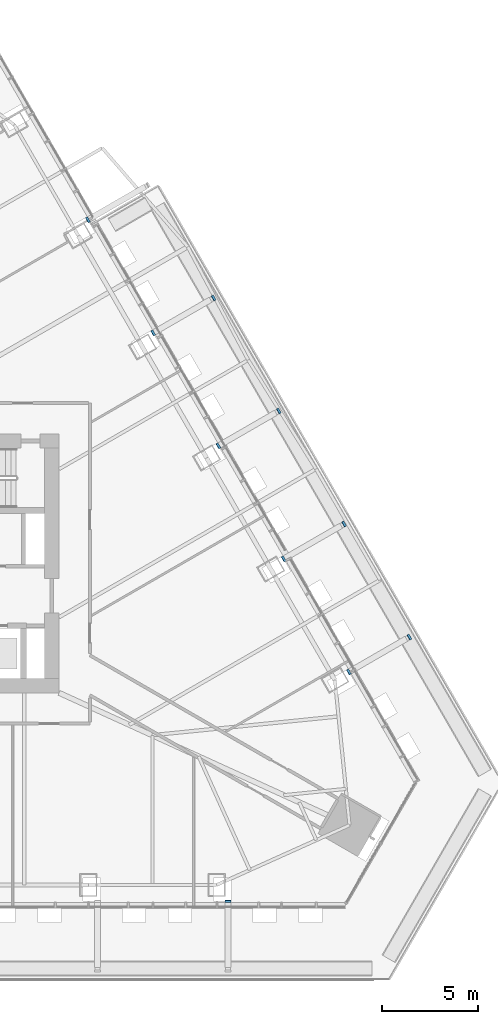
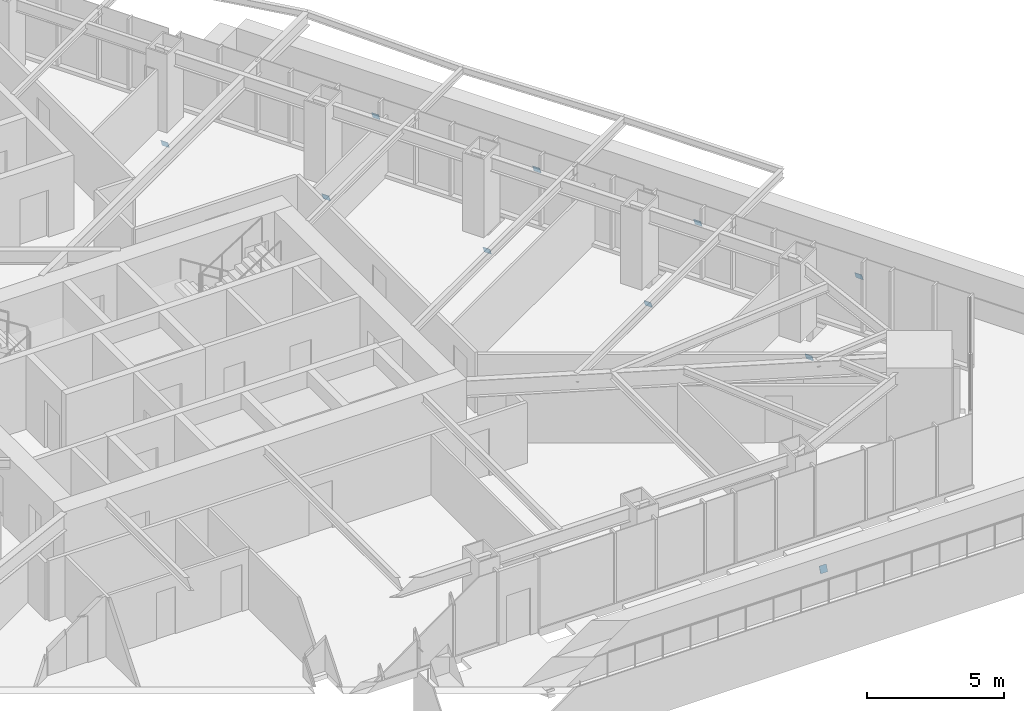
# One storey, part 14 of 17: 10 discrete accessories.
"""IFC4 building model written with IfcOpenShell, lengths in metres."""

from ifc_helpers import new_model, si_unit, direction, frame, origin, place, context, subcontext, project, spatial, polyline, outline, extrude, material, layer, layer_set, type_object, element, save


model = new_model("IFC4")

# Units and contexts
model_context = context("Model", 3, precision=1e-05, world=origin(), true_north=direction((0.0, 1.0)))
body_context = subcontext(model_context, "Body", "Model", "MODEL_VIEW")
ifc_project = project(units=[si_unit("LENGTHUNIT", "METRE"), si_unit("AREAUNIT", "SQUARE_METRE"), si_unit("VOLUMEUNIT", "CUBIC_METRE"), si_unit("PLANEANGLEUNIT", "RADIAN"), si_unit("MASSUNIT", "GRAM", prefix="KILO")], contexts=[model_context])

# Site, building, storey
site_placement = place(None, origin())
site = spatial("IfcSite", under=ifc_project, at=site_placement, CompositionType="ELEMENT")
building_placement = place(site_placement, origin())
building = spatial("IfcBuilding", under=site, at=building_placement, Name="Firuza Gate Tower and Library", CompositionType="ELEMENT")
storey_placement = place(building_placement, frame((0.0, 0.0, 263.60009765625)))
storey = spatial("IfcBuildingStorey", under=building, at=storey_placement, Name="L62", CompositionType="ELEMENT", Elevation=263.60009765625)

# Discrete accessories
ifc_material = material(Name="Steel S355", Category="steel")
ifc_layer = layer(ifc_material, 0.02001953125)
ifc_layer_set = layer_set([ifc_layer], Name="Strut seat plate 304x304x20 Steel S355")
discrete_accessory_type = type_object("IfcDiscreteAccessoryType", Name="Strut seat plate 304x304x20 Steel S355", PredefinedType="BRACKET", material=ifc_layer_set)
discrete_accessory_1_placement = place(storey_placement, frame((92.451904296875, 57.44091796875, -1.53564453125), z_axis=(0.0, -0.932140212882, 0.36209753317), x_axis=(-1.0, 0.0, 0.0)))
element("IfcDiscreteAccessory", 1, at=discrete_accessory_1_placement, inside=storey, type_object=discrete_accessory_type, Name="Strut seat plate L62 col:L61:S6", PredefinedType="BRACKET", context=body_context, shape_type="SweptSolid", body=[
    extrude(outline(polyline([(0.0, 0.0), (0.303955078125, 0.0), (0.303955078125, 0.3040822203652304), (0.0, 0.3040822203652304), (0.0, 0.0)])), origin(), (0.0, 0.0, -1.0), 0.02001953125),
])
discrete_accessory_2_placement = place(storey_placement, frame((98.480712890625, 69.448486328125, -1.53564453125), z_axis=(0.807236862691, 0.465771176803, 0.362527045021), x_axis=(0.499768824934, -0.866158831638, 0.0)))
element("IfcDiscreteAccessory", 2, at=discrete_accessory_2_placement, inside=storey, type_object=discrete_accessory_type, Name="Strut seat plate L62 col:L61:E1", PredefinedType="BRACKET", context=body_context, shape_type="SweptSolid", body=[
    extrude(outline(polyline([(0.0, 0.0), (0.30385142324571607, -6.938893903907228e-18), (0.3037678574739876, 0.3041366961441935), (-8.356577172844576e-05, 0.3041366961441935), (0.0, 0.0)])), origin(), (0.0, 0.0, -1.0), 0.02001953125),
])
discrete_accessory_3_placement = place(storey_placement, frame((101.78271484375, 71.00390625, -0.12109375), z_axis=(0.807328680114, 0.465982478786, 0.362050730879), x_axis=(-0.499912926069, 0.866075668686, 4.9594885e-05)))
element("IfcDiscreteAccessory", 3, at=discrete_accessory_3_placement, inside=storey, type_object=discrete_accessory_type, Name="Strut seat plate L62 col:L61:E1", PredefinedType="BRACKET", context=body_context, shape_type="SweptSolid", body=[
    extrude(outline(polyline([(0.0, 0.0), (0.3041849119758097, -6.938893903907228e-18), (0.304024631629005, -0.3040924658782561), (0.00017321296246153618, -0.30406011569786934), (0.0, 0.0)])), origin(), (0.0, 0.0, -1.0), 0.02001953125),
])
discrete_accessory_4_placement = place(storey_placement, frame((95.08056640625, 75.337646484375, -1.53564453125), z_axis=(0.807065000242, 0.466204446129, 0.362352728421), x_axis=(0.500174513809, -0.865924622089, 6.7792295e-05)))
element("IfcDiscreteAccessory", 4, at=discrete_accessory_4_placement, inside=storey, type_object=discrete_accessory_type, Name="Strut seat plate L62 col:L61:E2", PredefinedType="BRACKET", context=body_context, shape_type="SweptSolid", body=[
    extrude(outline(polyline([(0.0, 0.0), (0.3041849095061368, -6.938893903907228e-18), (0.3041337775364572, 0.304136698001982), (0.00016027540876014529, 0.30409246341043505), (0.0, 0.0)])), origin(), (0.0, 0.0, -1.0), 0.02001953125),
])
discrete_accessory_5_placement = place(storey_placement, frame((98.382568359375, 76.892822265625, -0.12109375), z_axis=(0.807328680114, 0.465982478786, 0.362050730879), x_axis=(-0.499833976398, 0.866121216566, -0.000185076226)))
element("IfcDiscreteAccessory", 5, at=discrete_accessory_5_placement, inside=storey, type_object=discrete_accessory_type, Name="Strut seat plate L62 col:L61:E2", PredefinedType="BRACKET", context=body_context, shape_type="SweptSolid", body=[
    extrude(outline(polyline([(0.0, 0.0), (0.30406287255707104, -6.938893903907228e-18), (0.304101177349772, -0.3040159179640979), (0.0001277303884449574, -0.3041366410844333), (0.0, 0.0)])), origin(), (0.0, 0.0, -1.0), 0.02001953125),
])
discrete_accessory_6_placement = place(storey_placement, frame((91.6806640625, 81.2265625, -1.53564453125), z_axis=(0.807328680114, 0.465982478786, 0.362050730879), x_axis=(0.499912926069, -0.866075668686, -4.9594885e-05)))
element("IfcDiscreteAccessory", 6, at=discrete_accessory_6_placement, inside=storey, type_object=discrete_accessory_type, Name="Strut seat plate L62 col:L61:E3", PredefinedType="BRACKET", context=body_context, shape_type="SweptSolid", body=[
    extrude(outline(polyline([(0.0, 0.0), (0.3041849119758097, -6.938893903907228e-18), (0.3040116990133482, 0.30406011569786934), (0.00016028034680475416, 0.3040924658782561), (0.0, 0.0)])), origin(), (0.0, 0.0, -1.0), 0.02001953125),
])
discrete_accessory_7_placement = place(storey_placement, frame((94.982666015625, 82.781982421875, -0.12109375), z_axis=(0.807065000242, 0.466204446129, 0.362352728421), x_axis=(-0.500220173323, 0.865898246677, 6.7839443e-05)))
element("IfcDiscreteAccessory", 7, at=discrete_accessory_7_placement, inside=storey, type_object=discrete_accessory_type, Name="Strut seat plate L62 col:L61:E3", PredefinedType="BRACKET", context=body_context, shape_type="SweptSolid", body=[
    extrude(outline(polyline([(0.0, 0.0), (0.30397350534623263, -1.3877787807814457e-17), (0.3039803789758316, -0.30413670222250444), (-0.00020452730953123105, -0.30409243686716886), (0.0, 0.0)])), origin(), (0.0, 0.0, -1.0), 0.02001953125),
])
discrete_accessory_8_placement = place(storey_placement, frame((88.28076171875, 87.115478515625, -1.53564453125), z_axis=(0.807328680114, 0.465982478786, 0.362050730879), x_axis=(0.499879541517, -0.86609493793, 4.9649318e-05)))
element("IfcDiscreteAccessory", 8, at=discrete_accessory_8_placement, inside=storey, type_object=discrete_accessory_type, Name="Strut seat plate L62 col:L61:E4", PredefinedType="BRACKET", context=body_context, shape_type="SweptSolid", body=[
    extrude(outline(polyline([(0.0, 0.0), (0.3038514203886584, -6.938893903907228e-18), (0.30397932489075313, 0.3040924812193591), (-0.00020558536105154057, 0.3040600955330893), (0.0, 0.0)])), origin(), (0.0, 0.0, -1.0), 0.02001953125),
])
discrete_accessory_9_placement = place(storey_placement, frame((91.58251953125, 88.6708984375, -0.12109375), z_axis=(0.807236862691, 0.465771176803, 0.362527045021), x_axis=(-0.499768824934, 0.866158831638, 0.0)))
element("IfcDiscreteAccessory", 9, at=discrete_accessory_9_placement, inside=storey, type_object=discrete_accessory_type, Name="Strut seat plate L62 col:L61:E4", PredefinedType="BRACKET", context=body_context, shape_type="SweptSolid", body=[
    extrude(outline(polyline([(0.0, 0.0), (0.30385142324571607, -6.938893903907228e-18), (0.3039349890174445, -0.3041366961441935), (8.356577172844576e-05, -0.3041366961441935), (0.0, 0.0)])), origin(), (0.0, 0.0, -1.0), 0.02001953125),
])
discrete_accessory_10_placement = place(storey_placement, frame((84.880615234375, 93.00439453125, -1.53564453125), z_axis=(0.806912615133, 0.466332615239, 0.36252713485), x_axis=(0.500371262739, -0.865810949009, 0.0)))
element("IfcDiscreteAccessory", 10, at=discrete_accessory_10_placement, inside=storey, type_object=discrete_accessory_type, Name="Strut seat plate L62 col:L61:E5", PredefinedType="BRACKET", context=body_context, shape_type="SweptSolid", body=[
    extrude(outline(polyline([(0.0, 0.0), (0.3039735106735333, 0.0), (0.3039666476986559, 0.3041367075471871), (-6.862974877369643e-06, 0.30413670754718714), (0.0, 0.0)])), origin(), (0.0, 0.0, -1.0), 0.02001953125),
])

save(model, "model.ifc")
